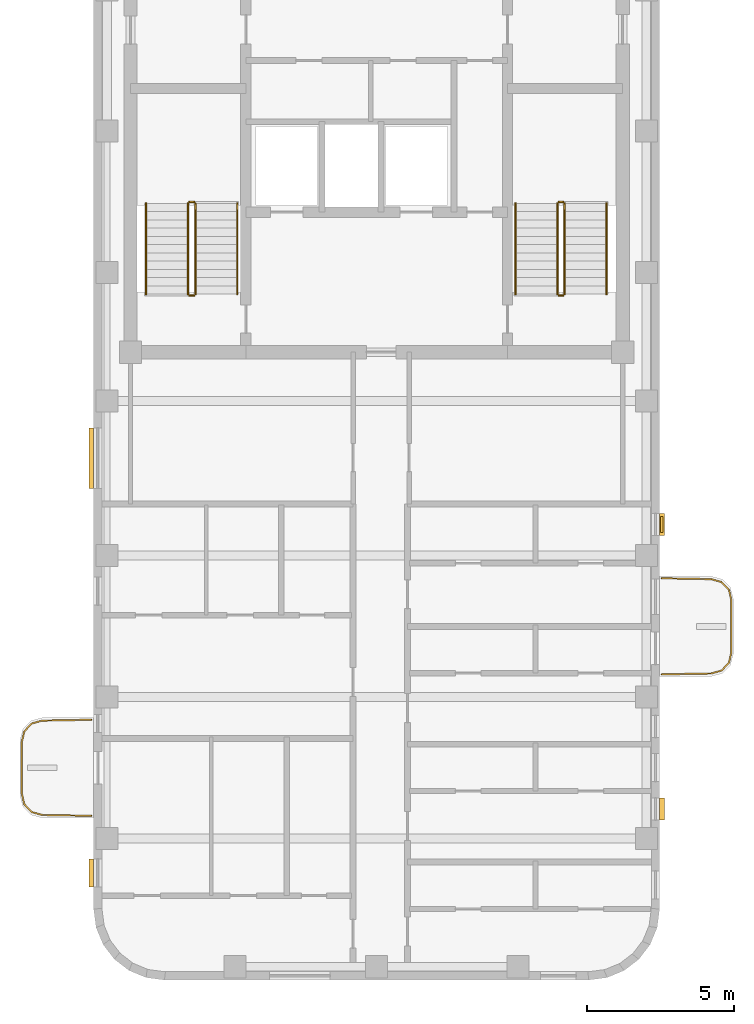
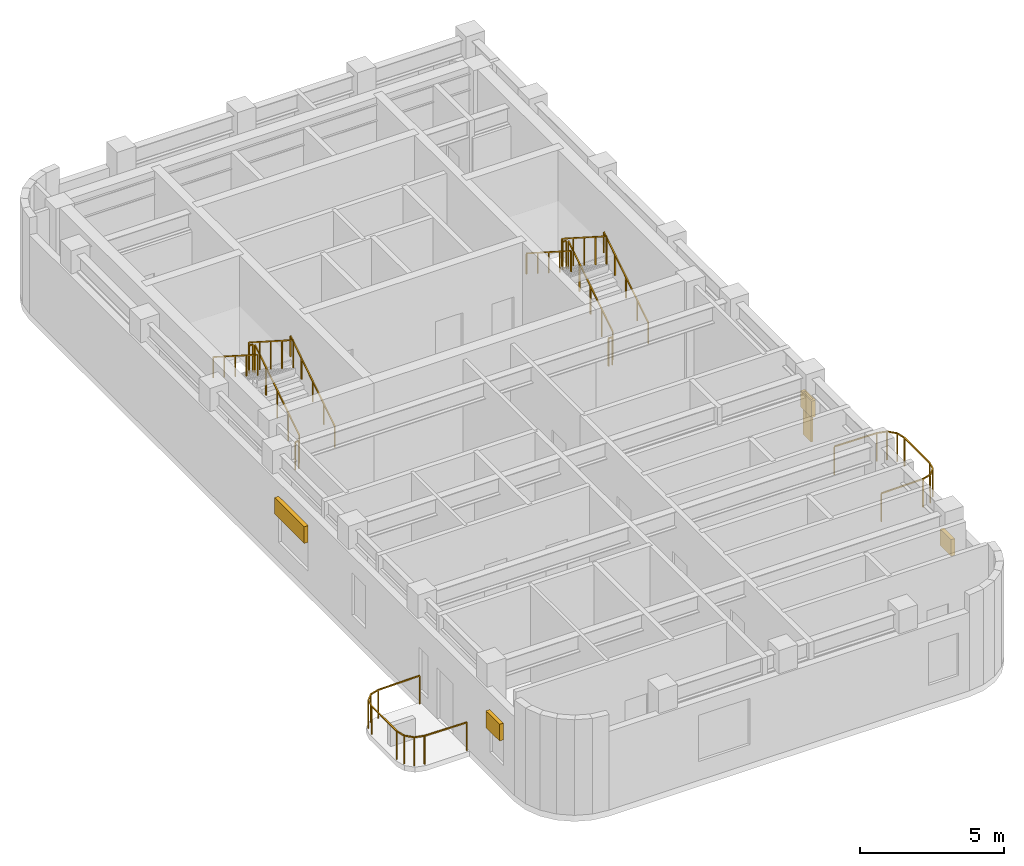
# One storey, part 6 of 7: 14 railings, 5 shading devices.
"""IFC4 building model written with IfcOpenShell, lengths in metres."""

from ifc_helpers import new_model, si_unit, direction, frame, origin, origin_2d, place, context, subcontext, project, spatial, rectangle, extrude, material, type_object, element, save


model = new_model("IFC4")

# Units and contexts
model_context = context("Model", 3, precision=1e-05, world=origin(), true_north=direction((0.0, 1.0)))
body_context = subcontext(model_context, "Body", "Model", "MODEL_VIEW")
ifc_project = project(units=[si_unit("LENGTHUNIT", "METRE"), si_unit("AREAUNIT", "SQUARE_METRE"), si_unit("VOLUMEUNIT", "CUBIC_METRE"), si_unit("PLANEANGLEUNIT", "RADIAN"), si_unit("MASSUNIT", "GRAM", prefix="KILO")], contexts=[model_context])

# Site, building, storey
site_placement = place(None, origin())
site = spatial("IfcSite", under=ifc_project, at=site_placement, CompositionType="ELEMENT")
building_placement = place(site_placement, origin())
building = spatial("IfcBuilding", under=site, at=building_placement, Name="Orvandelia Arch Residences", CompositionType="ELEMENT")
storey_placement = place(building_placement, frame((0.0, 0.0, 257.0)))
storey = spatial("IfcBuildingStorey", under=building, at=storey_placement, Name="L67", CompositionType="ELEMENT", Elevation=257.0)

# Railings
ifc_material_1 = material(Name="Marine-Grade Stainless Steel 316", Category="steel")
railing_type_1 = type_object("IfcRailingType", Name="GRD-BAL-1200", PredefinedType="BALUSTRADE", material=ifc_material_1)
railing_1_placement = place(storey_placement, frame((4.728271484375, 18.430419921875, 0.0)))
element("IfcRailing", 1, at=railing_1_placement, inside=storey, type_object=railing_type_1, Name="Safety Balustrade Guard GRD-L67-BAL-L67-W1-1", PredefinedType="BALUSTRADE", context=body_context, shape_type="SweptSolid", body=[
    extrude(rectangle(XDim=0.048095703125, YDim=0.048095703125, at=origin_2d()), frame((0.0, 0.0, 1.19580078125), z_axis=(-0.999834751713, -0.018178813668, 0.0), x_axis=(0.018178813668, -0.999834751713, 0.0)), (0.0, 0.0, 1.0), 1.6787109375),
    extrude(rectangle(XDim=0.048095703125, YDim=0.048095703125, at=origin_2d()), frame((-1.678466796875, -0.030517578125, 1.19580078125), z_axis=(-0.96348920644, -0.267747173792, 0.0), x_axis=(0.267747173792, -0.96348920644, 0.0)), (0.0, 0.0, 1.0), 0.36572265625),
    extrude(rectangle(XDim=0.048095703125, YDim=0.048095703125, at=origin_2d()), frame((-2.03076171875, -0.12841796875, 1.19580078125), z_axis=(-0.688627404251, -0.725115368831, 0.0), x_axis=(0.725115368831, -0.688627404251, 0.0)), (0.0, 0.0, 1.0), 0.367919921875),
    extrude(rectangle(XDim=0.048095703125, YDim=0.048095703125, at=origin_2d()), frame((-2.2841796875, -0.395263671875, 1.19580078125), z_axis=(-0.220602419982, -0.975363815352, 0.0), x_axis=(0.975363815352, -0.220602419982, 0.0)), (0.0, 0.0, 1.0), 0.373046875),
    extrude(rectangle(XDim=0.048095703125, YDim=0.048095703125, at=origin_2d()), frame((-2.366455078125, -0.759033203125, 1.19580078125), z_axis=(0.0, -1.0, 0.0), x_axis=(1.0, 0.0, 0.0)), (0.0, 0.0, 1.0), 1.74267578125),
    extrude(rectangle(XDim=0.048095703125, YDim=0.048095703125, at=origin_2d()), frame((-2.366455078125, -2.501708984375, 1.19580078125), z_axis=(0.220602419982, -0.975363815352, 0.0), x_axis=(0.975363815352, 0.220602419982, 0.0)), (0.0, 0.0, 1.0), 0.373046875),
    extrude(rectangle(XDim=0.048095703125, YDim=0.048095703125, at=origin_2d()), frame((-2.2841796875, -2.865478515625, 1.19580078125), z_axis=(0.688296224633, -0.725429739642, 0.0), x_axis=(0.725429739642, 0.688296224633, 0.0)), (0.0, 0.0, 1.0), 0.3681640625),
    extrude(rectangle(XDim=0.048095703125, YDim=0.048095703125, at=origin_2d()), frame((-2.03076171875, -3.132568359375, 1.19580078125), z_axis=(0.96348920644, -0.267747173792, 0.0), x_axis=(0.267747173792, 0.96348920644, 0.0)), (0.0, 0.0, 1.0), 0.36572265625),
    extrude(rectangle(XDim=0.048095703125, YDim=0.048095703125, at=origin_2d()), frame((-1.678466796875, -3.23046875, 1.19580078125), z_axis=(0.999837384468, -0.018033430643, 0.0), x_axis=(0.018033430643, 0.999837384468, 0.0)), (0.0, 0.0, 1.0), 1.6787109375),
    extrude(rectangle(XDim=0.0419921875, YDim=0.0419921875, at=origin_2d()), origin(), (0.0, 0.0, 1.0), 1.171875),
    extrude(rectangle(XDim=0.0419921875, YDim=0.0419921875, at=origin_2d()), frame((-1.678466796875, -0.030517578125, 0.0)), (0.0, 0.0, 1.0), 1.171875),
    extrude(rectangle(XDim=0.0419921875, YDim=0.0419921875, at=origin_2d()), frame((-2.03076171875, -0.12841796875, 0.0)), (0.0, 0.0, 1.0), 1.171875),
    extrude(rectangle(XDim=0.0419921875, YDim=0.0419921875, at=origin_2d()), frame((-2.2841796875, -0.395263671875, 0.0)), (0.0, 0.0, 1.0), 1.171875),
    extrude(rectangle(XDim=0.0419921875, YDim=0.0419921875, at=origin_2d()), frame((-2.366455078125, -0.759033203125, 0.0)), (0.0, 0.0, 1.0), 1.171875),
    extrude(rectangle(XDim=0.0419921875, YDim=0.0419921875, at=origin_2d()), frame((-2.366455078125, -2.501708984375, 0.0)), (0.0, 0.0, 1.0), 1.171875),
    extrude(rectangle(XDim=0.0419921875, YDim=0.0419921875, at=origin_2d()), frame((-2.2841796875, -2.865478515625, 0.0)), (0.0, 0.0, 1.0), 1.171875),
    extrude(rectangle(XDim=0.0419921875, YDim=0.0419921875, at=origin_2d()), frame((-2.03076171875, -3.132568359375, 0.0)), (0.0, 0.0, 1.0), 1.171875),
    extrude(rectangle(XDim=0.0419921875, YDim=0.0419921875, at=origin_2d()), frame((-1.678466796875, -3.23046875, 0.0)), (0.0, 0.0, 1.0), 1.171875),
    extrude(rectangle(XDim=0.0419921875, YDim=0.0419921875, at=origin_2d()), frame((0.0, -3.2607421875, 0.0)), (0.0, 0.0, 1.0), 1.171875),
])
railing_2_placement = place(storey_placement, frame((24.07177734375, 19.969482421875, 0.0)))
element("IfcRailing", 2, at=railing_2_placement, inside=storey, type_object=railing_type_1, Name="Safety Balustrade Guard GRD-L67-BAL-L67-W2-1", PredefinedType="BALUSTRADE", context=body_context, shape_type="SweptSolid", body=[
    extrude(rectangle(XDim=0.048095703125, YDim=0.048095703125, at=origin_2d()), frame((0.0, 0.0, 1.19580078125), z_axis=(0.999834751713, 0.018178813668, 0.0), x_axis=(-0.018178813668, 0.999834751713, 0.0)), (0.0, 0.0, 1.0), 1.6787109375),
    extrude(rectangle(XDim=0.048095703125, YDim=0.048095703125, at=origin_2d()), frame((1.678466796875, 0.030517578125, 1.19580078125), z_axis=(0.96348920644, 0.267747173792, 0.0), x_axis=(-0.267747173792, 0.96348920644, 0.0)), (0.0, 0.0, 1.0), 0.36572265625),
    extrude(rectangle(XDim=0.048095703125, YDim=0.048095703125, at=origin_2d()), frame((2.03076171875, 0.12841796875, 1.19580078125), z_axis=(0.687947031175, 0.725760898848, 0.0), x_axis=(-0.725760898848, 0.687947031175, 0.0)), (0.0, 0.0, 1.0), 0.367919921875),
    extrude(rectangle(XDim=0.048095703125, YDim=0.048095703125, at=origin_2d()), frame((2.283935546875, 0.3955078125, 1.19580078125), z_axis=(0.221225034864, 0.975222786828, 0.0), x_axis=(-0.975222786828, 0.221225034864, 0.0)), (0.0, 0.0, 1.0), 0.373046875),
    extrude(rectangle(XDim=0.048095703125, YDim=0.048095703125, at=origin_2d()), frame((2.366455078125, 0.75927734375, 1.19580078125), z_axis=(0.0, 1.0, 0.0), x_axis=(-1.0, 0.0, 0.0)), (0.0, 0.0, 1.0), 1.742431640625),
    extrude(rectangle(XDim=0.048095703125, YDim=0.048095703125, at=origin_2d()), frame((2.366455078125, 2.501708984375, 1.19580078125), z_axis=(-0.2210839158, 0.975254788337, 0.0), x_axis=(-0.975254788337, -0.2210839158, 0.0)), (0.0, 0.0, 1.0), 0.373291015625),
    extrude(rectangle(XDim=0.048095703125, YDim=0.048095703125, at=origin_2d()), frame((2.283935546875, 2.86572265625, 1.19580078125), z_axis=(-0.688278345278, 0.725446703364, 0.0), x_axis=(-0.725446703364, -0.688278345278, 0.0)), (0.0, 0.0, 1.0), 0.367919921875),
    extrude(rectangle(XDim=0.048095703125, YDim=0.048095703125, at=origin_2d()), frame((2.03076171875, 3.132568359375, 1.19580078125), z_axis=(-0.96348920644, 0.267747173792, 0.0), x_axis=(-0.267747173792, -0.96348920644, 0.0)), (0.0, 0.0, 1.0), 0.36572265625),
    extrude(rectangle(XDim=0.048095703125, YDim=0.048095703125, at=origin_2d()), frame((1.678466796875, 3.23046875, 1.19580078125), z_axis=(-0.999834751713, 0.018178813668, 0.0), x_axis=(-0.018178813668, -0.999834751713, 0.0)), (0.0, 0.0, 1.0), 1.6787109375),
    extrude(rectangle(XDim=0.0419921875, YDim=0.0419921875, at=origin_2d()), origin(), (0.0, 0.0, 1.0), 1.171875),
    extrude(rectangle(XDim=0.0419921875, YDim=0.0419921875, at=origin_2d()), frame((1.678466796875, 0.030517578125, 0.0)), (0.0, 0.0, 1.0), 1.171875),
    extrude(rectangle(XDim=0.0419921875, YDim=0.0419921875, at=origin_2d()), frame((2.03076171875, 0.12841796875, 0.0)), (0.0, 0.0, 1.0), 1.171875),
    extrude(rectangle(XDim=0.0419921875, YDim=0.0419921875, at=origin_2d()), frame((2.283935546875, 0.3955078125, 0.0)), (0.0, 0.0, 1.0), 1.171875),
    extrude(rectangle(XDim=0.0419921875, YDim=0.0419921875, at=origin_2d()), frame((2.366455078125, 0.75927734375, 0.0)), (0.0, 0.0, 1.0), 1.171875),
    extrude(rectangle(XDim=0.0419921875, YDim=0.0419921875, at=origin_2d()), frame((2.366455078125, 2.501708984375, 0.0)), (0.0, 0.0, 1.0), 1.171875),
    extrude(rectangle(XDim=0.0419921875, YDim=0.0419921875, at=origin_2d()), frame((2.283935546875, 2.86572265625, 0.0)), (0.0, 0.0, 1.0), 1.171875),
    extrude(rectangle(XDim=0.0419921875, YDim=0.0419921875, at=origin_2d()), frame((2.03076171875, 3.132568359375, 0.0)), (0.0, 0.0, 1.0), 1.171875),
    extrude(rectangle(XDim=0.0419921875, YDim=0.0419921875, at=origin_2d()), frame((1.678466796875, 3.23046875, 0.0)), (0.0, 0.0, 1.0), 1.171875),
    extrude(rectangle(XDim=0.0419921875, YDim=0.0419921875, at=origin_2d()), frame((0.0, 3.260986328125, 0.0)), (0.0, 0.0, 1.0), 1.171875),
])
ifc_material_2 = material(Name="Brushed Stainless Steel 304", Category="steel")
railing_type_2 = type_object("IfcRailingType", Name="RL-STAIR-GD1120", PredefinedType="GUARDRAIL", material=ifc_material_2)
railing_3_placement = place(storey_placement, frame((8.25, 32.8701171875, 0.17919921875)))
element("IfcRailing", 3, at=railing_3_placement, inside=storey, type_object=railing_type_2, Name="L67 ST-1 stair guard 1", PredefinedType="GUARDRAIL", context=body_context, shape_type="SweptSolid", body=[
    extrude(rectangle(XDim=0.048095703125, YDim=0.048095703125, at=origin_2d()), frame((0.0, 0.0, 1.17578125), z_axis=(0.0, 0.842319903074, 0.538977903893), x_axis=(-1.0, 0.0, 0.0)), (0.0, 0.0, 1.0), 3.65625),
    extrude(rectangle(XDim=0.0419921875, YDim=0.0419921875, at=origin_2d()), origin(), (0.0, 0.0, 1.0), 1.15185546875),
    extrude(rectangle(XDim=0.0419921875, YDim=0.0419921875, at=origin_2d()), frame((0.0, 0.77001953125, 0.49267578125)), (0.0, 0.0, 1.0), 1.15185546875),
    extrude(rectangle(XDim=0.0419921875, YDim=0.0419921875, at=origin_2d()), frame((0.0, 1.5400390625, 0.9853515625)), (0.0, 0.0, 1.0), 1.15185546875),
    extrude(rectangle(XDim=0.0419921875, YDim=0.0419921875, at=origin_2d()), frame((0.0, 2.309814453125, 1.47802734375)), (0.0, 0.0, 1.0), 1.15185546875),
    extrude(rectangle(XDim=0.0419921875, YDim=0.0419921875, at=origin_2d()), frame((0.0, 3.079833984375, 1.970703125)), (0.0, 0.0, 1.0), 1.15185546875),
])
railing_4_placement = place(storey_placement, frame((8.199951171875, 36.0, 2.14990234375)))
element("IfcRailing", 4, at=railing_4_placement, inside=storey, type_object=railing_type_2, Name="L67 ST-1 stair guard 2", PredefinedType="GUARDRAIL", context=body_context, shape_type="SweptSolid", body=[
    extrude(rectangle(XDim=0.048095703125, YDim=0.048095703125, at=origin_2d()), frame((0.0, 0.0, 1.17578125), z_axis=(-1.0, 0.0, 0.0), x_axis=(0.0, -1.0, 0.0)), (0.0, 0.0, 1.0), 0.14990234375),
    extrude(rectangle(XDim=0.0419921875, YDim=0.0419921875, at=origin_2d()), origin(), (0.0, 0.0, 1.0), 1.15185546875),
    extrude(rectangle(XDim=0.0419921875, YDim=0.0419921875, at=origin_2d()), frame((-0.14990234375, 0.0, 0.0)), (0.0, 0.0, 1.0), 1.15185546875),
])
railing_5_placement = place(storey_placement, frame((8.0, 35.949951171875, 2.3291015625)))
element("IfcRailing", 5, at=railing_5_placement, inside=storey, type_object=railing_type_2, Name="L67 ST-1 stair guard 3", PredefinedType="GUARDRAIL", context=body_context, shape_type="SweptSolid", body=[
    extrude(rectangle(XDim=0.048095703125, YDim=0.048095703125, at=origin_2d()), frame((0.0, 0.0, 1.17578125), z_axis=(0.0, -0.842289589211, 0.539025275759), x_axis=(1.0, 0.0, 0.0)), (0.0, 0.0, 1.0), 3.656494140625),
    extrude(rectangle(XDim=0.0419921875, YDim=0.0419921875, at=origin_2d()), origin(), (0.0, 0.0, 1.0), 1.15185546875),
    extrude(rectangle(XDim=0.0419921875, YDim=0.0419921875, at=origin_2d()), frame((0.0, -0.77001953125, 0.49267578125)), (0.0, 0.0, 1.0), 1.15185546875),
    extrude(rectangle(XDim=0.0419921875, YDim=0.0419921875, at=origin_2d()), frame((0.0, -1.5400390625, 0.9853515625)), (0.0, 0.0, 1.0), 1.15185546875),
    extrude(rectangle(XDim=0.0419921875, YDim=0.0419921875, at=origin_2d()), frame((0.0, -2.309814453125, 1.478271484375)), (0.0, 0.0, 1.0), 1.15185546875),
    extrude(rectangle(XDim=0.0419921875, YDim=0.0419921875, at=origin_2d()), frame((0.0, -3.079833984375, 1.970947265625)), (0.0, 0.0, 1.0), 1.15185546875),
])
railing_6_placement = place(storey_placement, frame((8.199951171875, 32.820068359375, 0.0)))
element("IfcRailing", 6, at=railing_6_placement, inside=storey, type_object=railing_type_2, Name="L67 ST-1 stair guard 4", PredefinedType="GUARDRAIL", context=body_context, shape_type="SweptSolid", body=[
    extrude(rectangle(XDim=0.048095703125, YDim=0.048095703125, at=origin_2d()), frame((0.0, 0.0, 1.17578125), z_axis=(-1.0, 0.0, 0.0), x_axis=(0.0, -1.0, 0.0)), (0.0, 0.0, 1.0), 0.14990234375),
    extrude(rectangle(XDim=0.0419921875, YDim=0.0419921875, at=origin_2d()), origin(), (0.0, 0.0, 1.0), 1.15185546875),
    extrude(rectangle(XDim=0.0419921875, YDim=0.0419921875, at=origin_2d()), frame((-0.14990234375, 0.0, 0.0)), (0.0, 0.0, 1.0), 1.15185546875),
])
railing_7_placement = place(storey_placement, frame((20.780029296875, 32.8701171875, 0.17919921875)))
element("IfcRailing", 7, at=railing_7_placement, inside=storey, type_object=railing_type_2, Name="L67 ST-2 stair guard 1", PredefinedType="GUARDRAIL", context=body_context, shape_type="SweptSolid", body=[
    extrude(rectangle(XDim=0.048095703125, YDim=0.048095703125, at=origin_2d()), frame((0.0, 0.0, 1.17578125), z_axis=(0.0, 0.842319903074, 0.538977903893), x_axis=(-1.0, 0.0, 0.0)), (0.0, 0.0, 1.0), 3.65625),
    extrude(rectangle(XDim=0.0419921875, YDim=0.0419921875, at=origin_2d()), origin(), (0.0, 0.0, 1.0), 1.15185546875),
    extrude(rectangle(XDim=0.0419921875, YDim=0.0419921875, at=origin_2d()), frame((0.0, 0.77001953125, 0.49267578125)), (0.0, 0.0, 1.0), 1.15185546875),
    extrude(rectangle(XDim=0.0419921875, YDim=0.0419921875, at=origin_2d()), frame((0.0, 1.5400390625, 0.9853515625)), (0.0, 0.0, 1.0), 1.15185546875),
    extrude(rectangle(XDim=0.0419921875, YDim=0.0419921875, at=origin_2d()), frame((0.0, 2.309814453125, 1.47802734375)), (0.0, 0.0, 1.0), 1.15185546875),
    extrude(rectangle(XDim=0.0419921875, YDim=0.0419921875, at=origin_2d()), frame((0.0, 3.079833984375, 1.970703125)), (0.0, 0.0, 1.0), 1.15185546875),
])
railing_8_placement = place(storey_placement, frame((20.72998046875, 36.0, 2.14990234375)))
element("IfcRailing", 8, at=railing_8_placement, inside=storey, type_object=railing_type_2, Name="L67 ST-2 stair guard 2", PredefinedType="GUARDRAIL", context=body_context, shape_type="SweptSolid", body=[
    extrude(rectangle(XDim=0.048095703125, YDim=0.048095703125, at=origin_2d()), frame((0.0, 0.0, 1.17578125), z_axis=(-1.0, 0.0, 0.0), x_axis=(0.0, -1.0, 0.0)), (0.0, 0.0, 1.0), 0.14990234375),
    extrude(rectangle(XDim=0.0419921875, YDim=0.0419921875, at=origin_2d()), origin(), (0.0, 0.0, 1.0), 1.15185546875),
    extrude(rectangle(XDim=0.0419921875, YDim=0.0419921875, at=origin_2d()), frame((-0.14990234375, 0.0, 0.0)), (0.0, 0.0, 1.0), 1.15185546875),
])
railing_9_placement = place(storey_placement, frame((20.530029296875, 35.949951171875, 2.3291015625)))
element("IfcRailing", 9, at=railing_9_placement, inside=storey, type_object=railing_type_2, Name="L67 ST-2 stair guard 3", PredefinedType="GUARDRAIL", context=body_context, shape_type="SweptSolid", body=[
    extrude(rectangle(XDim=0.048095703125, YDim=0.048095703125, at=origin_2d()), frame((0.0, 0.0, 1.17578125), z_axis=(0.0, -0.842289589211, 0.539025275759), x_axis=(1.0, 0.0, 0.0)), (0.0, 0.0, 1.0), 3.656494140625),
    extrude(rectangle(XDim=0.0419921875, YDim=0.0419921875, at=origin_2d()), origin(), (0.0, 0.0, 1.0), 1.15185546875),
    extrude(rectangle(XDim=0.0419921875, YDim=0.0419921875, at=origin_2d()), frame((0.0, -0.77001953125, 0.49267578125)), (0.0, 0.0, 1.0), 1.15185546875),
    extrude(rectangle(XDim=0.0419921875, YDim=0.0419921875, at=origin_2d()), frame((0.0, -1.5400390625, 0.9853515625)), (0.0, 0.0, 1.0), 1.15185546875),
    extrude(rectangle(XDim=0.0419921875, YDim=0.0419921875, at=origin_2d()), frame((0.0, -2.309814453125, 1.478271484375)), (0.0, 0.0, 1.0), 1.15185546875),
    extrude(rectangle(XDim=0.0419921875, YDim=0.0419921875, at=origin_2d()), frame((0.0, -3.079833984375, 1.970947265625)), (0.0, 0.0, 1.0), 1.15185546875),
])
railing_10_placement = place(storey_placement, frame((20.72998046875, 32.820068359375, 0.0)))
element("IfcRailing", 10, at=railing_10_placement, inside=storey, type_object=railing_type_2, Name="L67 ST-2 stair guard 4", PredefinedType="GUARDRAIL", context=body_context, shape_type="SweptSolid", body=[
    extrude(rectangle(XDim=0.048095703125, YDim=0.048095703125, at=origin_2d()), frame((0.0, 0.0, 1.17578125), z_axis=(-1.0, 0.0, 0.0), x_axis=(0.0, -1.0, 0.0)), (0.0, 0.0, 1.0), 0.14990234375),
    extrude(rectangle(XDim=0.0419921875, YDim=0.0419921875, at=origin_2d()), origin(), (0.0, 0.0, 1.0), 1.15185546875),
    extrude(rectangle(XDim=0.0419921875, YDim=0.0419921875, at=origin_2d()), frame((-0.14990234375, 0.0, 0.0)), (0.0, 0.0, 1.0), 1.15185546875),
])
railing_type_3 = type_object("IfcRailingType", Name="RL-STAIR-HR920", PredefinedType="HANDRAIL", material=ifc_material_2)
railing_11_placement = place(storey_placement, frame((9.669921875, 32.8701171875, 0.3583984375)))
element("IfcRailing", 11, at=railing_11_placement, inside=storey, type_object=railing_type_3, Name="L67 ST-1 stair handrail 1", PredefinedType="HANDRAIL", context=body_context, shape_type="SweptSolid", body=[
    extrude(rectangle(XDim=0.048095703125, YDim=0.048095703125, at=origin_2d()), frame((0.0, 0.0, 0.8759765625), z_axis=(0.0, 0.842319903074, 0.538977903893), x_axis=(-1.0, 0.0, 0.0)), (0.0, 0.0, 1.0), 3.65625),
    extrude(rectangle(XDim=0.0419921875, YDim=0.0419921875, at=origin_2d()), origin(), (0.0, 0.0, 1.0), 0.851806640625),
    extrude(rectangle(XDim=0.0419921875, YDim=0.0419921875, at=origin_2d()), frame((0.0, 0.77001953125, 0.49267578125)), (0.0, 0.0, 1.0), 0.851806640625),
    extrude(rectangle(XDim=0.0419921875, YDim=0.0419921875, at=origin_2d()), frame((0.0, 1.5400390625, 0.9853515625)), (0.0, 0.0, 1.0), 0.851806640625),
    extrude(rectangle(XDim=0.0419921875, YDim=0.0419921875, at=origin_2d()), frame((0.0, 2.309814453125, 1.47802734375)), (0.0, 0.0, 1.0), 0.851806640625),
    extrude(rectangle(XDim=0.0419921875, YDim=0.0419921875, at=origin_2d()), frame((0.0, 3.079833984375, 1.970703125)), (0.0, 0.0, 1.0), 0.851806640625),
])
railing_12_placement = place(storey_placement, frame((6.580078125, 35.949951171875, 2.50830078125)))
element("IfcRailing", 12, at=railing_12_placement, inside=storey, type_object=railing_type_3, Name="L67 ST-1 stair handrail 2", PredefinedType="HANDRAIL", context=body_context, shape_type="SweptSolid", body=[
    extrude(rectangle(XDim=0.048095703125, YDim=0.048095703125, at=origin_2d()), frame((0.0, 0.0, 0.8759765625), z_axis=(0.0, -0.842289589211, 0.539025275759), x_axis=(1.0, 0.0, 0.0)), (0.0, 0.0, 1.0), 3.656494140625),
    extrude(rectangle(XDim=0.0419921875, YDim=0.0419921875, at=origin_2d()), origin(), (0.0, 0.0, 1.0), 0.851806640625),
    extrude(rectangle(XDim=0.0419921875, YDim=0.0419921875, at=origin_2d()), frame((0.0, -0.77001953125, 0.49267578125)), (0.0, 0.0, 1.0), 0.851806640625),
    extrude(rectangle(XDim=0.0419921875, YDim=0.0419921875, at=origin_2d()), frame((0.0, -1.5400390625, 0.9853515625)), (0.0, 0.0, 1.0), 0.851806640625),
    extrude(rectangle(XDim=0.0419921875, YDim=0.0419921875, at=origin_2d()), frame((0.0, -2.309814453125, 1.478271484375)), (0.0, 0.0, 1.0), 0.851806640625),
    extrude(rectangle(XDim=0.0419921875, YDim=0.0419921875, at=origin_2d()), frame((0.0, -3.079833984375, 1.970947265625)), (0.0, 0.0, 1.0), 0.851806640625),
])
railing_13_placement = place(storey_placement, frame((22.199951171875, 32.8701171875, 0.3583984375)))
element("IfcRailing", 13, at=railing_13_placement, inside=storey, type_object=railing_type_3, Name="L67 ST-2 stair handrail 1", PredefinedType="HANDRAIL", context=body_context, shape_type="SweptSolid", body=[
    extrude(rectangle(XDim=0.048095703125, YDim=0.048095703125, at=origin_2d()), frame((0.0, 0.0, 0.8759765625), z_axis=(0.0, 0.842319903074, 0.538977903893), x_axis=(-1.0, 0.0, 0.0)), (0.0, 0.0, 1.0), 3.65625),
    extrude(rectangle(XDim=0.0419921875, YDim=0.0419921875, at=origin_2d()), origin(), (0.0, 0.0, 1.0), 0.851806640625),
    extrude(rectangle(XDim=0.0419921875, YDim=0.0419921875, at=origin_2d()), frame((0.0, 0.77001953125, 0.49267578125)), (0.0, 0.0, 1.0), 0.851806640625),
    extrude(rectangle(XDim=0.0419921875, YDim=0.0419921875, at=origin_2d()), frame((0.0, 1.5400390625, 0.9853515625)), (0.0, 0.0, 1.0), 0.851806640625),
    extrude(rectangle(XDim=0.0419921875, YDim=0.0419921875, at=origin_2d()), frame((0.0, 2.309814453125, 1.47802734375)), (0.0, 0.0, 1.0), 0.851806640625),
    extrude(rectangle(XDim=0.0419921875, YDim=0.0419921875, at=origin_2d()), frame((0.0, 3.079833984375, 1.970703125)), (0.0, 0.0, 1.0), 0.851806640625),
])
railing_14_placement = place(storey_placement, frame((19.110107421875, 35.949951171875, 2.50830078125)))
element("IfcRailing", 14, at=railing_14_placement, inside=storey, type_object=railing_type_3, Name="L67 ST-2 stair handrail 2", PredefinedType="HANDRAIL", context=body_context, shape_type="SweptSolid", body=[
    extrude(rectangle(XDim=0.048095703125, YDim=0.048095703125, at=origin_2d()), frame((0.0, 0.0, 0.8759765625), z_axis=(0.0, -0.842289589211, 0.539025275759), x_axis=(1.0, 0.0, 0.0)), (0.0, 0.0, 1.0), 3.656494140625),
    extrude(rectangle(XDim=0.0419921875, YDim=0.0419921875, at=origin_2d()), origin(), (0.0, 0.0, 1.0), 0.851806640625),
    extrude(rectangle(XDim=0.0419921875, YDim=0.0419921875, at=origin_2d()), frame((0.0, -0.77001953125, 0.49267578125)), (0.0, 0.0, 1.0), 0.851806640625),
    extrude(rectangle(XDim=0.0419921875, YDim=0.0419921875, at=origin_2d()), frame((0.0, -1.5400390625, 0.9853515625)), (0.0, 0.0, 1.0), 0.851806640625),
    extrude(rectangle(XDim=0.0419921875, YDim=0.0419921875, at=origin_2d()), frame((0.0, -2.309814453125, 1.478271484375)), (0.0, 0.0, 1.0), 0.851806640625),
    extrude(rectangle(XDim=0.0419921875, YDim=0.0419921875, at=origin_2d()), frame((0.0, -3.079833984375, 1.970947265625)), (0.0, 0.0, 1.0), 0.851806640625),
])

# Shading devices
ifc_material_3 = material(Name="Anodised Champagne-Bronze Extruded Aluminium", Category="aluminium")
shading_device_type_1 = type_object("IfcShadingDeviceType", Name="SHD-JALOUSIE-SCREEN", PredefinedType="JALOUSIE", material=ifc_material_3)
for number, where, z_axis, x_axis, name in (
    (15, (24.080078125, 15.402587890625, 1.5498046875), (0.0, 0.0, 1.0), (0.0, -1.0, 0.0), "Bronze Jalousie Sun-Shade L67-001"),
    (16, (24.080078125, 25.0576171875, 1.5498046875), (0.0, 0.0, 1.0), (0.0, -1.0, 0.0), "Bronze Jalousie Sun-Shade L67-003"),
):
    element("IfcShadingDevice", number, at=place(storey_placement, frame(where, z_axis=z_axis, x_axis=x_axis)), inside=storey, type_object=shading_device_type_1, Name=name, PredefinedType="JALOUSIE", context=body_context, shape_type="SweptSolid", body=[
        extrude(rectangle(XDim=0.75, YDim=0.159912109375, at=origin_2d()), origin(), (0.0, 0.0, 1.0), 0.699951171875),
    ])
shading_device_1_placement = place(storey_placement, frame((4.719970703125, 13.2333984375, 1.89990234375), z_axis=(0.0, 0.0, 1.0), x_axis=(0.0, 1.0, 0.0)))
element("IfcShadingDevice", 17, at=shading_device_1_placement, inside=storey, type_object=shading_device_type_1, Name="Bronze Jalousie Sun-Shade L67-004", PredefinedType="JALOUSIE", context=body_context, shape_type="SweptSolid", body=[
    extrude(rectangle(XDim=0.949951171875, YDim=0.159912109375, at=origin_2d()), origin(), (0.0, 0.0, 1.0), 0.699951171875),
])
shading_device_2_placement = place(storey_placement, frame((4.719970703125, 27.3076171875, 2.0498046875), z_axis=(0.0, 0.0, 1.0), x_axis=(0.0, 1.0, 0.0)))
element("IfcShadingDevice", 18, at=shading_device_2_placement, inside=storey, type_object=shading_device_type_1, Name="Bronze Jalousie Sun-Shade L67-005", PredefinedType="JALOUSIE", context=body_context, shape_type="SweptSolid", body=[
    extrude(rectangle(XDim=2.050048828125, YDim=0.159912109375, at=origin_2d()), origin(), (0.0, 0.0, 1.0), 0.699951171875),
])
ifc_material_4 = material(Name="Marine-Grade Perforated Aluminium Storm Shutter", Category="aluminium")
shading_device_type_2 = type_object("IfcShadingDeviceType", Name="SHD-STORM-SHUTTER", PredefinedType="SHUTTER", material=ifc_material_4)
shading_device_3_placement = place(storey_placement, frame((24.080078125, 25.0576171875, 0.4501953125), z_axis=(0.0, 0.0, 1.0), x_axis=(0.0, -1.0, 0.0)))
element("IfcShadingDevice", 19, at=shading_device_3_placement, inside=storey, type_object=shading_device_type_2, Name="Operable Typhoon Storm Shutter L67-003", PredefinedType="SHUTTER", context=body_context, shape_type="SweptSolid", body=[
    extrude(rectangle(XDim=0.550048828125, YDim=0.080078125, at=origin_2d()), origin(), (0.0, 0.0, 1.0), 1.800048828125),
])

save(model, "model.ifc")
